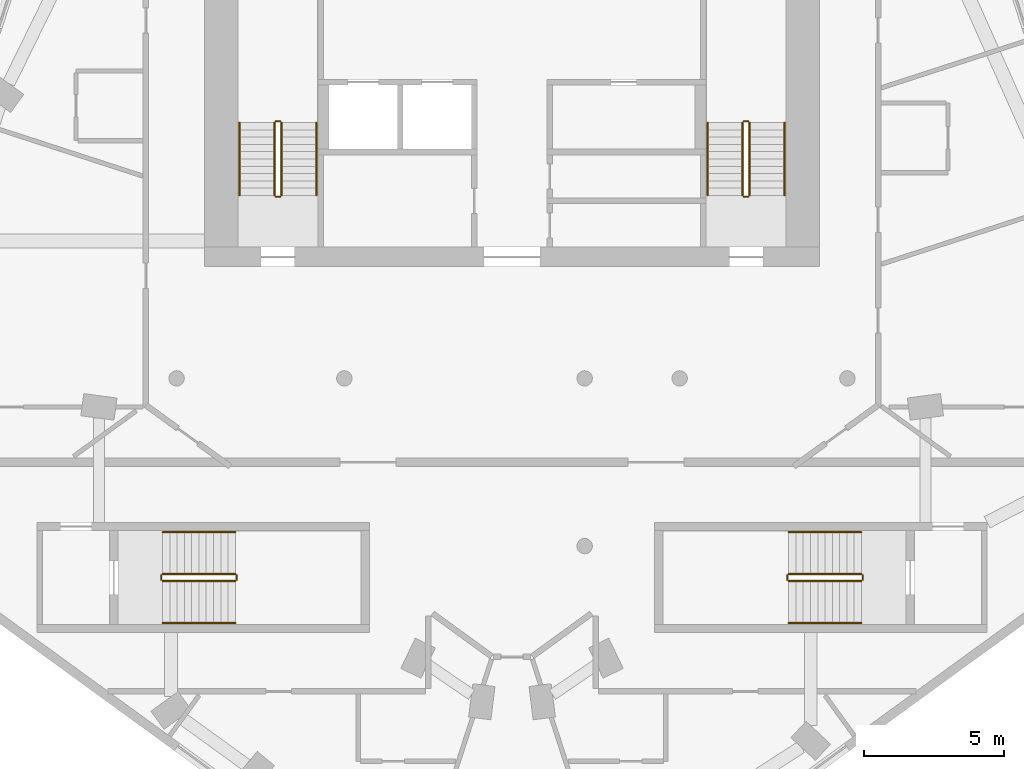
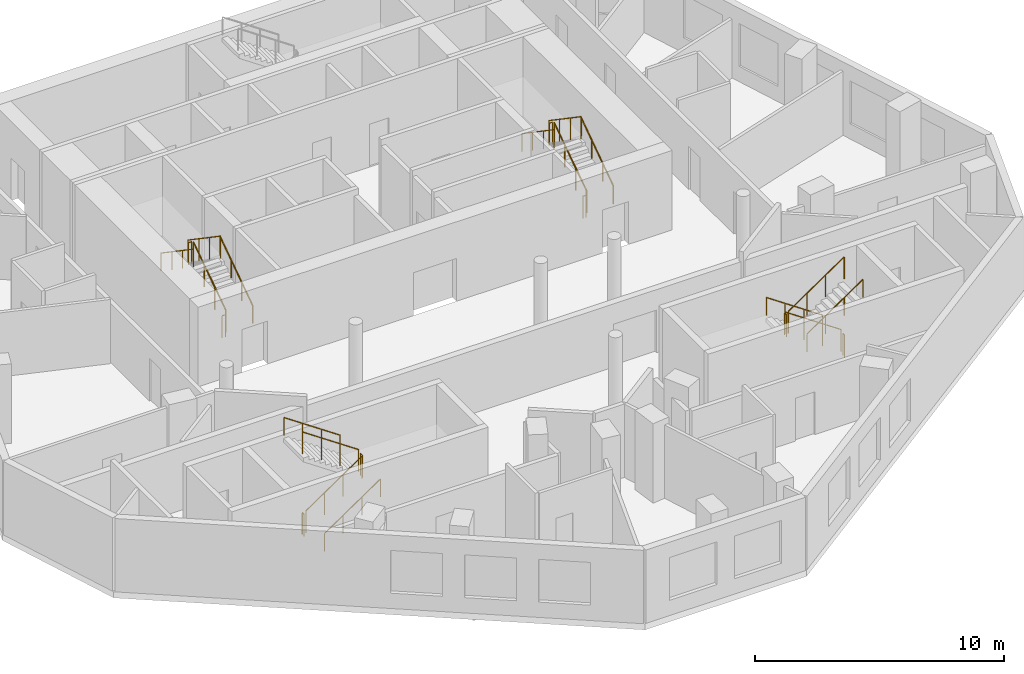
# One storey, part 7 of 8: 24 railings.
"""IFC4 building model written with IfcOpenShell, lengths in metres."""

from ifc_helpers import new_model, si_unit, direction, frame, origin, origin_2d, place, context, subcontext, project, spatial, circle, extrude, material, type_object, element, save


model = new_model("IFC4")

# Units and contexts
model_context = context("Model", 3, precision=1e-05, world=origin(), true_north=direction((0.0, 1.0)))
body_context = subcontext(model_context, "Body", "Model", "MODEL_VIEW")
ifc_project = project(units=[si_unit("LENGTHUNIT", "METRE"), si_unit("AREAUNIT", "SQUARE_METRE"), si_unit("VOLUMEUNIT", "CUBIC_METRE"), si_unit("PLANEANGLEUNIT", "RADIAN"), si_unit("MASSUNIT", "GRAM", prefix="KILO")], contexts=[model_context])

# Site, building, storey
site_placement = place(None, origin())
site = spatial("IfcSite", under=ifc_project, at=site_placement, CompositionType="ELEMENT")
building_placement = place(site_placement, origin())
building = spatial("IfcBuilding", under=site, at=building_placement, Name="White Candle Pilgrim Tower", CompositionType="ELEMENT")
storey_placement = place(building_placement, frame((0.0, 0.0, 287.300048828125)))
storey = spatial("IfcBuildingStorey", under=building, at=storey_placement, Name="L68", CompositionType="ELEMENT", Elevation=287.300048828125)

# Railings
ifc_material = material(Name="Stainless steel", Category="steel")
railing_type_1 = type_object("IfcRailingType", Name="Stair guard stainless steel 1100 mm", PredefinedType="GUARDRAIL", material=ifc_material)
railing_1_placement = place(storey_placement, frame((61.75, 73.550048828125, 0.17724609375)))
element("IfcRailing", 1, at=railing_1_placement, inside=storey, type_object=railing_type_1, Name="L68 ST1 stair guard 1", PredefinedType="GUARDRAIL", context=body_context, shape_type="SweptSolid", body=[
    extrude(circle(Radius=0.02392578125, at=origin_2d()), frame((0.0, 0.0, 1.076171875), z_axis=(0.0, 0.826215852431, 0.563353676824), x_axis=(-1.0, 0.0, 0.0)), (0.0, 0.0, 1.0), 3.146728515625),
    extrude(circle(Radius=0.02099609375, at=origin_2d()), origin(), (0.0, 0.0, 1.0), 1.052001953125),
    extrude(circle(Radius=0.02099609375, at=origin_2d()), frame((0.0, 0.86669921875, 0.5908203125)), (0.0, 0.0, 1.0), 1.052001953125),
    extrude(circle(Radius=0.02099609375, at=origin_2d()), frame((0.0, 1.733154296875, 1.181884765625)), (0.0, 0.0, 1.0), 1.052001953125),
    extrude(circle(Radius=0.02099609375, at=origin_2d()), frame((0.0, 2.599853515625, 1.772705078125)), (0.0, 0.0, 1.0), 1.052001953125),
])
railing_2_placement = place(storey_placement, frame((61.699951171875, 76.199951171875, 1.949951171875)))
element("IfcRailing", 2, at=railing_2_placement, inside=storey, type_object=railing_type_1, Name="L68 ST1 stair guard 2", PredefinedType="GUARDRAIL", context=body_context, shape_type="SweptSolid", body=[
    extrude(circle(Radius=0.02392578125, at=origin_2d()), frame((0.0, 0.0, 1.076171875), z_axis=(-1.0, 0.0, 0.0), x_axis=(0.0, -1.0, 0.0)), (0.0, 0.0, 1.0), 0.14990234375),
    extrude(circle(Radius=0.02099609375, at=origin_2d()), origin(), (0.0, 0.0, 1.0), 1.052001953125),
    extrude(circle(Radius=0.02099609375, at=origin_2d()), frame((-0.14990234375, 0.0, 0.0)), (0.0, 0.0, 1.0), 1.052001953125),
])
railing_3_placement = place(storey_placement, frame((61.5, 76.14990234375, 2.127197265625)))
element("IfcRailing", 3, at=railing_3_placement, inside=storey, type_object=railing_type_1, Name="L68 ST1 stair guard 3", PredefinedType="GUARDRAIL", context=body_context, shape_type="SweptSolid", body=[
    extrude(circle(Radius=0.02392578125, at=origin_2d()), frame((0.0, 0.0, 1.076171875), z_axis=(0.0, -0.826215852431, 0.563353676824), x_axis=(1.0, 0.0, 0.0)), (0.0, 0.0, 1.0), 3.146728515625),
    extrude(circle(Radius=0.02099609375, at=origin_2d()), origin(), (0.0, 0.0, 1.0), 1.052001953125),
    extrude(circle(Radius=0.02099609375, at=origin_2d()), frame((0.0, -0.86669921875, 0.5908203125)), (0.0, 0.0, 1.0), 1.052001953125),
    extrude(circle(Radius=0.02099609375, at=origin_2d()), frame((0.0, -1.733154296875, 1.181884765625)), (0.0, 0.0, 1.0), 1.052001953125),
    extrude(circle(Radius=0.02099609375, at=origin_2d()), frame((0.0, -2.599853515625, 1.772705078125)), (0.0, 0.0, 1.0), 1.052001953125),
])
railing_4_placement = place(storey_placement, frame((61.699951171875, 73.5, 0.0)))
element("IfcRailing", 4, at=railing_4_placement, inside=storey, type_object=railing_type_1, Name="L68 ST1 stair guard 4", PredefinedType="GUARDRAIL", context=body_context, shape_type="SweptSolid", body=[
    extrude(circle(Radius=0.02392578125, at=origin_2d()), frame((0.0, 0.0, 1.076171875), z_axis=(-1.0, 0.0, 0.0), x_axis=(0.0, -1.0, 0.0)), (0.0, 0.0, 1.0), 0.14990234375),
    extrude(circle(Radius=0.02099609375, at=origin_2d()), origin(), (0.0, 0.0, 1.0), 1.052001953125),
    extrude(circle(Radius=0.02099609375, at=origin_2d()), frame((-0.14990234375, 0.0, 0.0)), (0.0, 0.0, 1.0), 1.052001953125),
])
railing_5_placement = place(storey_placement, frame((78.5, 73.550048828125, 0.17724609375)))
element("IfcRailing", 5, at=railing_5_placement, inside=storey, type_object=railing_type_1, Name="L68 ST2 stair guard 1", PredefinedType="GUARDRAIL", context=body_context, shape_type="SweptSolid", body=[
    extrude(circle(Radius=0.02392578125, at=origin_2d()), frame((0.0, 0.0, 1.076171875), z_axis=(0.0, 0.826215852431, 0.563353676824), x_axis=(-1.0, 0.0, 0.0)), (0.0, 0.0, 1.0), 3.146728515625),
    extrude(circle(Radius=0.02099609375, at=origin_2d()), origin(), (0.0, 0.0, 1.0), 1.052001953125),
    extrude(circle(Radius=0.02099609375, at=origin_2d()), frame((0.0, 0.86669921875, 0.5908203125)), (0.0, 0.0, 1.0), 1.052001953125),
    extrude(circle(Radius=0.02099609375, at=origin_2d()), frame((0.0, 1.733154296875, 1.181884765625)), (0.0, 0.0, 1.0), 1.052001953125),
    extrude(circle(Radius=0.02099609375, at=origin_2d()), frame((0.0, 2.599853515625, 1.772705078125)), (0.0, 0.0, 1.0), 1.052001953125),
])
railing_6_placement = place(storey_placement, frame((78.449951171875, 76.199951171875, 1.949951171875)))
element("IfcRailing", 6, at=railing_6_placement, inside=storey, type_object=railing_type_1, Name="L68 ST2 stair guard 2", PredefinedType="GUARDRAIL", context=body_context, shape_type="SweptSolid", body=[
    extrude(circle(Radius=0.02392578125, at=origin_2d()), frame((0.0, 0.0, 1.076171875), z_axis=(-1.0, 0.0, 0.0), x_axis=(0.0, -1.0, 0.0)), (0.0, 0.0, 1.0), 0.14990234375),
    extrude(circle(Radius=0.02099609375, at=origin_2d()), origin(), (0.0, 0.0, 1.0), 1.052001953125),
    extrude(circle(Radius=0.02099609375, at=origin_2d()), frame((-0.14990234375, 0.0, 0.0)), (0.0, 0.0, 1.0), 1.052001953125),
])
railing_7_placement = place(storey_placement, frame((78.25, 76.14990234375, 2.127197265625)))
element("IfcRailing", 7, at=railing_7_placement, inside=storey, type_object=railing_type_1, Name="L68 ST2 stair guard 3", PredefinedType="GUARDRAIL", context=body_context, shape_type="SweptSolid", body=[
    extrude(circle(Radius=0.02392578125, at=origin_2d()), frame((0.0, 0.0, 1.076171875), z_axis=(0.0, -0.826215852431, 0.563353676824), x_axis=(1.0, 0.0, 0.0)), (0.0, 0.0, 1.0), 3.146728515625),
    extrude(circle(Radius=0.02099609375, at=origin_2d()), origin(), (0.0, 0.0, 1.0), 1.052001953125),
    extrude(circle(Radius=0.02099609375, at=origin_2d()), frame((0.0, -0.86669921875, 0.5908203125)), (0.0, 0.0, 1.0), 1.052001953125),
    extrude(circle(Radius=0.02099609375, at=origin_2d()), frame((0.0, -1.733154296875, 1.181884765625)), (0.0, 0.0, 1.0), 1.052001953125),
    extrude(circle(Radius=0.02099609375, at=origin_2d()), frame((0.0, -2.599853515625, 1.772705078125)), (0.0, 0.0, 1.0), 1.052001953125),
])
railing_8_placement = place(storey_placement, frame((78.449951171875, 73.5, 0.0)))
element("IfcRailing", 8, at=railing_8_placement, inside=storey, type_object=railing_type_1, Name="L68 ST2 stair guard 4", PredefinedType="GUARDRAIL", context=body_context, shape_type="SweptSolid", body=[
    extrude(circle(Radius=0.02392578125, at=origin_2d()), frame((0.0, 0.0, 1.076171875), z_axis=(-1.0, 0.0, 0.0), x_axis=(0.0, -1.0, 0.0)), (0.0, 0.0, 1.0), 0.14990234375),
    extrude(circle(Radius=0.02099609375, at=origin_2d()), origin(), (0.0, 0.0, 1.0), 1.052001953125),
    extrude(circle(Radius=0.02099609375, at=origin_2d()), frame((-0.14990234375, 0.0, 0.0)), (0.0, 0.0, 1.0), 1.052001953125),
])
railing_9_placement = place(storey_placement, frame((82.5, 60.0, 0.17724609375)))
element("IfcRailing", 9, at=railing_9_placement, inside=storey, type_object=railing_type_1, Name="L68 ST4 stair guard 1", PredefinedType="GUARDRAIL", context=body_context, shape_type="SweptSolid", body=[
    extrude(circle(Radius=0.02392578125, at=origin_2d()), frame((0.0, 0.0, 1.076171875), z_axis=(-0.826240473404, 0.0, 0.563317565952), x_axis=(0.0, -1.0, 0.0)), (0.0, 0.0, 1.0), 3.14697265625),
    extrude(circle(Radius=0.02099609375, at=origin_2d()), origin(), (0.0, 0.0, 1.0), 1.052001953125),
    extrude(circle(Radius=0.02099609375, at=origin_2d()), frame((-0.86669921875, 0.0, 0.5908203125)), (0.0, 0.0, 1.0), 1.052001953125),
    extrude(circle(Radius=0.02099609375, at=origin_2d()), frame((-1.7333984375, 0.0, 1.181884765625)), (0.0, 0.0, 1.0), 1.052001953125),
    extrude(circle(Radius=0.02099609375, at=origin_2d()), frame((-2.60009765625, 0.0, 1.772705078125)), (0.0, 0.0, 1.0), 1.052001953125),
])
railing_10_placement = place(storey_placement, frame((79.85009765625, 59.949951171875, 1.949951171875)))
element("IfcRailing", 10, at=railing_10_placement, inside=storey, type_object=railing_type_1, Name="L68 ST4 stair guard 2", PredefinedType="GUARDRAIL", context=body_context, shape_type="SweptSolid", body=[
    extrude(circle(Radius=0.02392578125, at=origin_2d()), frame((0.0, 0.0, 1.076171875), z_axis=(0.0, -1.0, 0.0), x_axis=(1.0, 0.0, 0.0)), (0.0, 0.0, 1.0), 0.14990234375),
    extrude(circle(Radius=0.02099609375, at=origin_2d()), origin(), (0.0, 0.0, 1.0), 1.052001953125),
    extrude(circle(Radius=0.02099609375, at=origin_2d()), frame((0.0, -0.14990234375, 0.0)), (0.0, 0.0, 1.0), 1.052001953125),
])
railing_11_placement = place(storey_placement, frame((79.89990234375, 59.75, 2.127197265625)))
element("IfcRailing", 11, at=railing_11_placement, inside=storey, type_object=railing_type_1, Name="L68 ST4 stair guard 3", PredefinedType="GUARDRAIL", context=body_context, shape_type="SweptSolid", body=[
    extrude(circle(Radius=0.02392578125, at=origin_2d()), frame((0.0, 0.0, 1.076171875), z_axis=(0.826240473404, 0.0, 0.563317565952), x_axis=(0.0, 1.0, 0.0)), (0.0, 0.0, 1.0), 3.14697265625),
    extrude(circle(Radius=0.02099609375, at=origin_2d()), origin(), (0.0, 0.0, 1.0), 1.052001953125),
    extrude(circle(Radius=0.02099609375, at=origin_2d()), frame((0.86669921875, 0.0, 0.5908203125)), (0.0, 0.0, 1.0), 1.052001953125),
    extrude(circle(Radius=0.02099609375, at=origin_2d()), frame((1.7333984375, 0.0, 1.181884765625)), (0.0, 0.0, 1.0), 1.052001953125),
    extrude(circle(Radius=0.02099609375, at=origin_2d()), frame((2.60009765625, 0.0, 1.772705078125)), (0.0, 0.0, 1.0), 1.052001953125),
])
railing_12_placement = place(storey_placement, frame((82.550048828125, 59.949951171875, 0.0)))
element("IfcRailing", 12, at=railing_12_placement, inside=storey, type_object=railing_type_1, Name="L68 ST4 stair guard 4", PredefinedType="GUARDRAIL", context=body_context, shape_type="SweptSolid", body=[
    extrude(circle(Radius=0.02392578125, at=origin_2d()), frame((0.0, 0.0, 1.076171875), z_axis=(0.0, -1.0, 0.0), x_axis=(1.0, 0.0, 0.0)), (0.0, 0.0, 1.0), 0.14990234375),
    extrude(circle(Radius=0.02099609375, at=origin_2d()), origin(), (0.0, 0.0, 1.0), 1.052001953125),
    extrude(circle(Radius=0.02099609375, at=origin_2d()), frame((0.0, -0.14990234375, 0.0)), (0.0, 0.0, 1.0), 1.052001953125),
])
railing_13_placement = place(storey_placement, frame((57.5, 59.75, 0.17724609375)))
element("IfcRailing", 13, at=railing_13_placement, inside=storey, type_object=railing_type_1, Name="L68 ST5 stair guard 1", PredefinedType="GUARDRAIL", context=body_context, shape_type="SweptSolid", body=[
    extrude(circle(Radius=0.02392578125, at=origin_2d()), frame((0.0, 0.0, 1.076171875), z_axis=(0.826240473404, 0.0, 0.563317565952), x_axis=(0.0, 1.0, 0.0)), (0.0, 0.0, 1.0), 3.14697265625),
    extrude(circle(Radius=0.02099609375, at=origin_2d()), origin(), (0.0, 0.0, 1.0), 1.052001953125),
    extrude(circle(Radius=0.02099609375, at=origin_2d()), frame((0.86669921875, 0.0, 0.5908203125)), (0.0, 0.0, 1.0), 1.052001953125),
    extrude(circle(Radius=0.02099609375, at=origin_2d()), frame((1.7333984375, 0.0, 1.181884765625)), (0.0, 0.0, 1.0), 1.052001953125),
    extrude(circle(Radius=0.02099609375, at=origin_2d()), frame((2.60009765625, 0.0, 1.772705078125)), (0.0, 0.0, 1.0), 1.052001953125),
])
railing_14_placement = place(storey_placement, frame((60.14990234375, 59.800048828125, 1.949951171875)))
element("IfcRailing", 14, at=railing_14_placement, inside=storey, type_object=railing_type_1, Name="L68 ST5 stair guard 2", PredefinedType="GUARDRAIL", context=body_context, shape_type="SweptSolid", body=[
    extrude(circle(Radius=0.02392578125, at=origin_2d()), frame((0.0, 0.0, 1.076171875), z_axis=(0.0, 1.0, 0.0), x_axis=(-1.0, 0.0, 0.0)), (0.0, 0.0, 1.0), 0.14990234375),
    extrude(circle(Radius=0.02099609375, at=origin_2d()), origin(), (0.0, 0.0, 1.0), 1.052001953125),
    extrude(circle(Radius=0.02099609375, at=origin_2d()), frame((0.0, 0.14990234375, 0.0)), (0.0, 0.0, 1.0), 1.052001953125),
])
railing_15_placement = place(storey_placement, frame((60.10009765625, 60.0, 2.127197265625)))
element("IfcRailing", 15, at=railing_15_placement, inside=storey, type_object=railing_type_1, Name="L68 ST5 stair guard 3", PredefinedType="GUARDRAIL", context=body_context, shape_type="SweptSolid", body=[
    extrude(circle(Radius=0.02392578125, at=origin_2d()), frame((0.0, 0.0, 1.076171875), z_axis=(-0.826240473404, 0.0, 0.563317565952), x_axis=(0.0, -1.0, 0.0)), (0.0, 0.0, 1.0), 3.14697265625),
    extrude(circle(Radius=0.02099609375, at=origin_2d()), origin(), (0.0, 0.0, 1.0), 1.052001953125),
    extrude(circle(Radius=0.02099609375, at=origin_2d()), frame((-0.86669921875, 0.0, 0.5908203125)), (0.0, 0.0, 1.0), 1.052001953125),
    extrude(circle(Radius=0.02099609375, at=origin_2d()), frame((-1.7333984375, 0.0, 1.181884765625)), (0.0, 0.0, 1.0), 1.052001953125),
    extrude(circle(Radius=0.02099609375, at=origin_2d()), frame((-2.60009765625, 0.0, 1.772705078125)), (0.0, 0.0, 1.0), 1.052001953125),
])
railing_16_placement = place(storey_placement, frame((57.449951171875, 59.800048828125, 0.0)))
element("IfcRailing", 16, at=railing_16_placement, inside=storey, type_object=railing_type_1, Name="L68 ST5 stair guard 4", PredefinedType="GUARDRAIL", context=body_context, shape_type="SweptSolid", body=[
    extrude(circle(Radius=0.02392578125, at=origin_2d()), frame((0.0, 0.0, 1.076171875), z_axis=(0.0, 1.0, 0.0), x_axis=(-1.0, 0.0, 0.0)), (0.0, 0.0, 1.0), 0.14990234375),
    extrude(circle(Radius=0.02099609375, at=origin_2d()), origin(), (0.0, 0.0, 1.0), 1.052001953125),
    extrude(circle(Radius=0.02099609375, at=origin_2d()), frame((0.0, 0.14990234375, 0.0)), (0.0, 0.0, 1.0), 1.052001953125),
])
railing_type_2 = type_object("IfcRailingType", Name="Stair handrail stainless steel", PredefinedType="HANDRAIL", material=ifc_material)
railing_17_placement = place(storey_placement, frame((63.0, 73.550048828125, 0.17724609375)))
element("IfcRailing", 17, at=railing_17_placement, inside=storey, type_object=railing_type_2, Name="L68 ST1 stair handrail 1", PredefinedType="HANDRAIL", context=body_context, shape_type="SweptSolid", body=[
    extrude(circle(Radius=0.02392578125, at=origin_2d()), frame((0.0, 0.0, 0.8759765625), z_axis=(0.0, 0.826215852431, 0.563353676824), x_axis=(-1.0, 0.0, 0.0)), (0.0, 0.0, 1.0), 3.146728515625),
    extrude(circle(Radius=0.02099609375, at=origin_2d()), origin(), (0.0, 0.0, 1.0), 0.851806640625),
    extrude(circle(Radius=0.02099609375, at=origin_2d()), frame((0.0, 0.86669921875, 0.5908203125)), (0.0, 0.0, 1.0), 0.851806640625),
    extrude(circle(Radius=0.02099609375, at=origin_2d()), frame((0.0, 1.733154296875, 1.181884765625)), (0.0, 0.0, 1.0), 0.851806640625),
    extrude(circle(Radius=0.02099609375, at=origin_2d()), frame((0.0, 2.599853515625, 1.772705078125)), (0.0, 0.0, 1.0), 0.851806640625),
])
railing_18_placement = place(storey_placement, frame((60.25, 76.14990234375, 2.127197265625)))
element("IfcRailing", 18, at=railing_18_placement, inside=storey, type_object=railing_type_2, Name="L68 ST1 stair handrail 2", PredefinedType="HANDRAIL", context=body_context, shape_type="SweptSolid", body=[
    extrude(circle(Radius=0.02392578125, at=origin_2d()), frame((0.0, 0.0, 0.8759765625), z_axis=(0.0, -0.826215852431, 0.563353676824), x_axis=(1.0, 0.0, 0.0)), (0.0, 0.0, 1.0), 3.146728515625),
    extrude(circle(Radius=0.02099609375, at=origin_2d()), origin(), (0.0, 0.0, 1.0), 0.851806640625),
    extrude(circle(Radius=0.02099609375, at=origin_2d()), frame((0.0, -0.86669921875, 0.5908203125)), (0.0, 0.0, 1.0), 0.851806640625),
    extrude(circle(Radius=0.02099609375, at=origin_2d()), frame((0.0, -1.733154296875, 1.181884765625)), (0.0, 0.0, 1.0), 0.851806640625),
    extrude(circle(Radius=0.02099609375, at=origin_2d()), frame((0.0, -2.599853515625, 1.772705078125)), (0.0, 0.0, 1.0), 0.851806640625),
])
railing_19_placement = place(storey_placement, frame((79.75, 73.550048828125, 0.17724609375)))
element("IfcRailing", 19, at=railing_19_placement, inside=storey, type_object=railing_type_2, Name="L68 ST2 stair handrail 1", PredefinedType="HANDRAIL", context=body_context, shape_type="SweptSolid", body=[
    extrude(circle(Radius=0.02392578125, at=origin_2d()), frame((0.0, 0.0, 0.8759765625), z_axis=(0.0, 0.826215852431, 0.563353676824), x_axis=(-1.0, 0.0, 0.0)), (0.0, 0.0, 1.0), 3.146728515625),
    extrude(circle(Radius=0.02099609375, at=origin_2d()), origin(), (0.0, 0.0, 1.0), 0.851806640625),
    extrude(circle(Radius=0.02099609375, at=origin_2d()), frame((0.0, 0.86669921875, 0.5908203125)), (0.0, 0.0, 1.0), 0.851806640625),
    extrude(circle(Radius=0.02099609375, at=origin_2d()), frame((0.0, 1.733154296875, 1.181884765625)), (0.0, 0.0, 1.0), 0.851806640625),
    extrude(circle(Radius=0.02099609375, at=origin_2d()), frame((0.0, 2.599853515625, 1.772705078125)), (0.0, 0.0, 1.0), 0.851806640625),
])
railing_20_placement = place(storey_placement, frame((77.0, 76.14990234375, 2.127197265625)))
element("IfcRailing", 20, at=railing_20_placement, inside=storey, type_object=railing_type_2, Name="L68 ST2 stair handrail 2", PredefinedType="HANDRAIL", context=body_context, shape_type="SweptSolid", body=[
    extrude(circle(Radius=0.02392578125, at=origin_2d()), frame((0.0, 0.0, 0.8759765625), z_axis=(0.0, -0.826215852431, 0.563353676824), x_axis=(1.0, 0.0, 0.0)), (0.0, 0.0, 1.0), 3.146728515625),
    extrude(circle(Radius=0.02099609375, at=origin_2d()), origin(), (0.0, 0.0, 1.0), 0.851806640625),
    extrude(circle(Radius=0.02099609375, at=origin_2d()), frame((0.0, -0.86669921875, 0.5908203125)), (0.0, 0.0, 1.0), 0.851806640625),
    extrude(circle(Radius=0.02099609375, at=origin_2d()), frame((0.0, -1.733154296875, 1.181884765625)), (0.0, 0.0, 1.0), 0.851806640625),
    extrude(circle(Radius=0.02099609375, at=origin_2d()), frame((0.0, -2.599853515625, 1.772705078125)), (0.0, 0.0, 1.0), 0.851806640625),
])
railing_21_placement = place(storey_placement, frame((82.5, 61.5, 0.17724609375)))
element("IfcRailing", 21, at=railing_21_placement, inside=storey, type_object=railing_type_2, Name="L68 ST4 stair handrail 1", PredefinedType="HANDRAIL", context=body_context, shape_type="SweptSolid", body=[
    extrude(circle(Radius=0.02392578125, at=origin_2d()), frame((0.0, 0.0, 0.8759765625), z_axis=(-0.826240473404, 0.0, 0.563317565952), x_axis=(0.0, -1.0, 0.0)), (0.0, 0.0, 1.0), 3.14697265625),
    extrude(circle(Radius=0.02099609375, at=origin_2d()), origin(), (0.0, 0.0, 1.0), 0.851806640625),
    extrude(circle(Radius=0.02099609375, at=origin_2d()), frame((-0.86669921875, 0.0, 0.5908203125)), (0.0, 0.0, 1.0), 0.851806640625),
    extrude(circle(Radius=0.02099609375, at=origin_2d()), frame((-1.7333984375, 0.0, 1.181884765625)), (0.0, 0.0, 1.0), 0.851806640625),
    extrude(circle(Radius=0.02099609375, at=origin_2d()), frame((-2.60009765625, 0.0, 1.772705078125)), (0.0, 0.0, 1.0), 0.851806640625),
])
for number, where, name in (
    (22, (79.89990234375, 58.25, 2.127197265625), "L68 ST4 stair handrail 2"),
    (23, (57.5, 58.25, 0.17724609375), "L68 ST5 stair handrail 1"),
):
    element("IfcRailing", number, at=place(storey_placement, frame(where)), inside=storey, type_object=railing_type_2, Name=name, PredefinedType="HANDRAIL", context=body_context, shape_type="SweptSolid", body=[
        extrude(circle(Radius=0.02392578125, at=origin_2d()), frame((0.0, 0.0, 0.8759765625), z_axis=(0.826240473404, 0.0, 0.563317565952), x_axis=(0.0, 1.0, 0.0)), (0.0, 0.0, 1.0), 3.14697265625),
        extrude(circle(Radius=0.02099609375, at=origin_2d()), origin(), (0.0, 0.0, 1.0), 0.851806640625),
        extrude(circle(Radius=0.02099609375, at=origin_2d()), frame((0.86669921875, 0.0, 0.5908203125)), (0.0, 0.0, 1.0), 0.851806640625),
        extrude(circle(Radius=0.02099609375, at=origin_2d()), frame((1.7333984375, 0.0, 1.181884765625)), (0.0, 0.0, 1.0), 0.851806640625),
        extrude(circle(Radius=0.02099609375, at=origin_2d()), frame((2.60009765625, 0.0, 1.772705078125)), (0.0, 0.0, 1.0), 0.851806640625),
    ])
railing_22_placement = place(storey_placement, frame((60.10009765625, 61.5, 2.127197265625)))
element("IfcRailing", 24, at=railing_22_placement, inside=storey, type_object=railing_type_2, Name="L68 ST5 stair handrail 2", PredefinedType="HANDRAIL", context=body_context, shape_type="SweptSolid", body=[
    extrude(circle(Radius=0.02392578125, at=origin_2d()), frame((0.0, 0.0, 0.8759765625), z_axis=(-0.826240473404, 0.0, 0.563317565952), x_axis=(0.0, -1.0, 0.0)), (0.0, 0.0, 1.0), 3.14697265625),
    extrude(circle(Radius=0.02099609375, at=origin_2d()), origin(), (0.0, 0.0, 1.0), 0.851806640625),
    extrude(circle(Radius=0.02099609375, at=origin_2d()), frame((-0.86669921875, 0.0, 0.5908203125)), (0.0, 0.0, 1.0), 0.851806640625),
    extrude(circle(Radius=0.02099609375, at=origin_2d()), frame((-1.7333984375, 0.0, 1.181884765625)), (0.0, 0.0, 1.0), 0.851806640625),
    extrude(circle(Radius=0.02099609375, at=origin_2d()), frame((-2.60009765625, 0.0, 1.772705078125)), (0.0, 0.0, 1.0), 0.851806640625),
])

save(model, "model.ifc")
